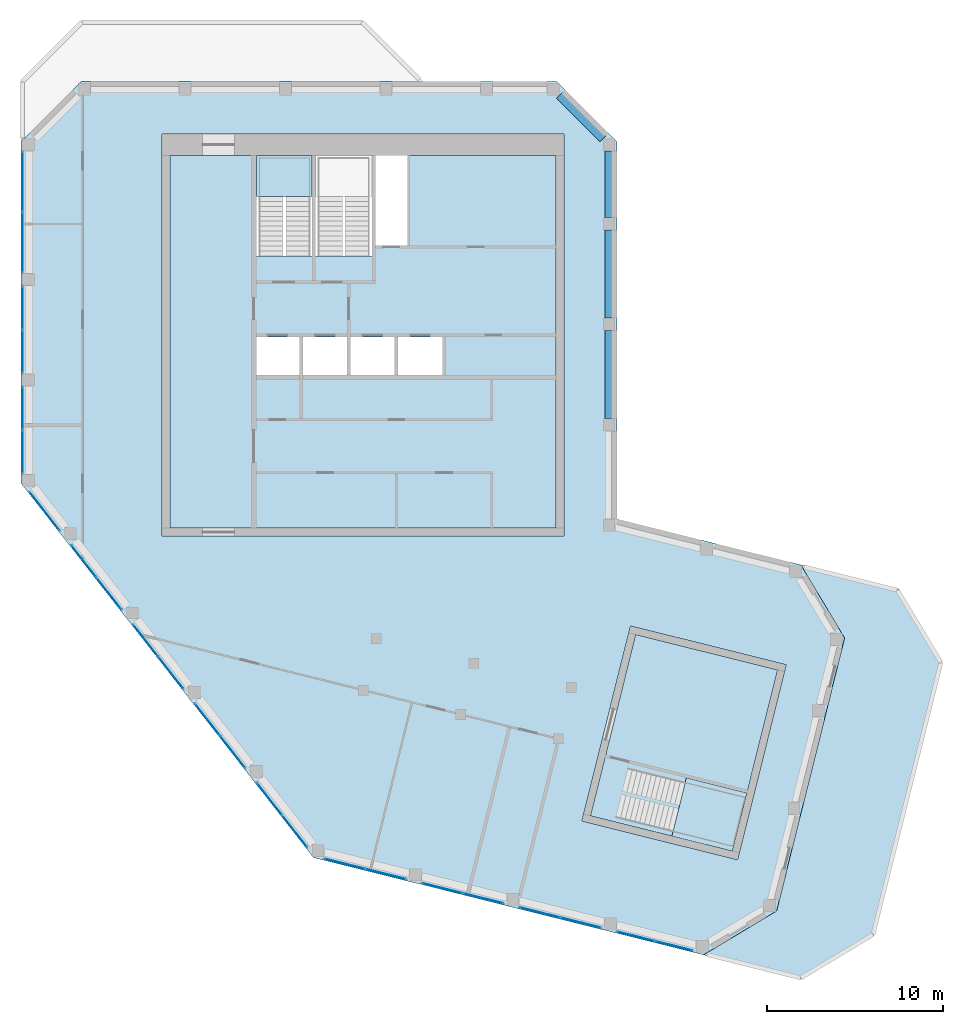
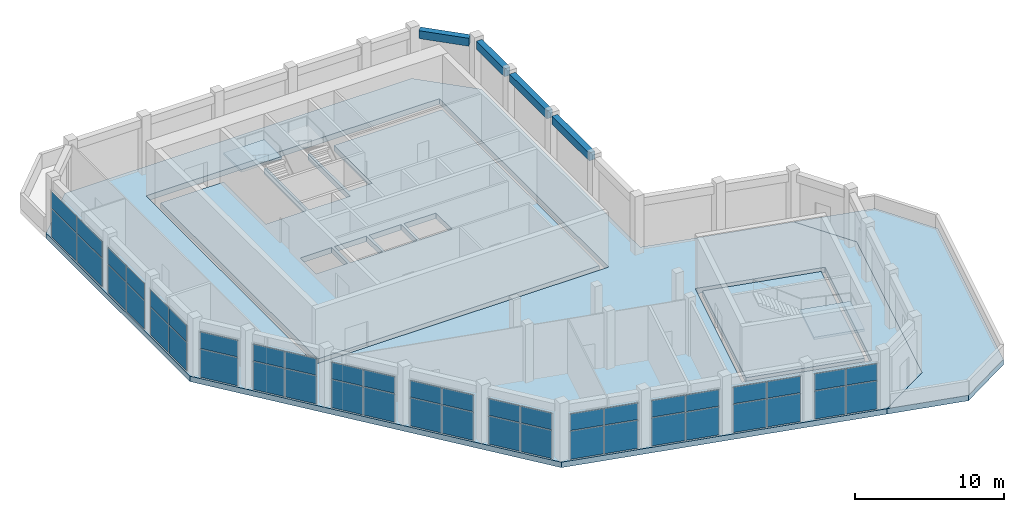
# One storey, part 6 of 10: 46 plates, 6 slabs, 4 beams, 14 elements without a shape of their own.
"""IFC4 building model written with IfcOpenShell, lengths in metres."""

from ifc_helpers import new_model, si_unit, direction, frame, origin, origin_2d, place, context, subcontext, project, spatial, polyline, rectangle, outline, extrude, material, layer, layer_set, material_profile, profile_set, type_object, element, aggregate, save


model = new_model("IFC4")

# Units and contexts
model_context = context("Model", 3, precision=1e-05, world=origin(), true_north=direction((0.0, 1.0)))
body_context = subcontext(model_context, "Body", "Model", "MODEL_VIEW")
ifc_project = project(units=[si_unit("LENGTHUNIT", "METRE"), si_unit("AREAUNIT", "SQUARE_METRE"), si_unit("VOLUMEUNIT", "CUBIC_METRE"), si_unit("PLANEANGLEUNIT", "RADIAN"), si_unit("MASSUNIT", "GRAM", prefix="KILO")], contexts=[model_context])

# Site, building, storey
site_placement = place(None, origin())
site = spatial("IfcSite", under=ifc_project, at=site_placement, CompositionType="ELEMENT")
building_placement = place(site_placement, origin())
building = spatial("IfcBuilding", under=site, at=building_placement, Name="Meshkara Civic Tower", CompositionType="ELEMENT")
storey_placement = place(building_placement, frame((0.0, 0.0, 419.39990234375)))
storey = spatial("IfcBuildingStorey", under=building, at=storey_placement, Name="L96 Crown", CompositionType="ELEMENT", Elevation=419.39990234375)

# Beams
ifc_material_1 = material(Name="Concrete C50", Category="concrete")
ifc_material_profile = material_profile(ifc_material_1, rectangle(XDim=0.449951171875, YDim=0.64990234375, at=origin_2d()))
ifc_profile_set = profile_set([ifc_material_profile], Name="Concrete C50")
beam_type = type_object("IfcBeamType", Name="Spandrel beam RC 450x650 C50", PredefinedType="BEAM", material=ifc_profile_set)
for number, where, z_axis, x_axis, name in (
    (1, (33.35009765625, 20.763916015625, 4.175048828125), (0.0, 1.0, 0.0), (-1.0, 0.0, 0.0), "Spandrel beam HE01-HE02"),
    (2, (33.35009765625, 26.464111328125, 4.175048828125), (0.0, 1.0, 0.0), (-1.0, 0.0, 0.0), "Spandrel beam HE02-HE03"),
):
    element("IfcBeam", number, at=place(storey_placement, frame(where, z_axis=z_axis, x_axis=x_axis)), inside=storey, type_object=beam_type, Name=name, PredefinedType="BEAM", context=body_context, shape_type="SweptSolid", body=[
        extrude(rectangle(XDim=0.449951171875, YDim=0.64990234375, at=origin_2d()), origin(), (0.0, 0.0, 1.0), 5.010009765625),
    ])
beam_1_placement = place(storey_placement, frame((33.35009765625, 32.1640625, 4.175048828125), z_axis=(0.0, 1.0, 0.0), x_axis=(-1.0, 0.0, 0.0)))
element("IfcBeam", 3, at=beam_1_placement, inside=storey, type_object=beam_type, Name="Spandrel beam HE03-HEE", PredefinedType="BEAM", context=body_context, shape_type="SweptSolid", body=[
    extrude(rectangle(XDim=0.449951171875, YDim=0.64990234375, at=origin_2d()), origin(), (0.0, 0.0, 1.0), 3.784912109375),
])
beam_2_placement = place(storey_placement, frame((33.00341796875, 36.640380859375, 4.175048828125), z_axis=(-0.707071735129, 0.707141825507, 0.0), x_axis=(-0.707141825507, -0.707071735129, 0.0)))
element("IfcBeam", 4, at=beam_2_placement, inside=storey, type_object=beam_type, Name="Spandrel beam HCeE-HEE", PredefinedType="BEAM", context=body_context, shape_type="SweptSolid", body=[
    extrude(rectangle(XDim=0.449951171875, YDim=0.64990234375, at=origin_2d()), origin(), (0.0, 0.0, 1.0), 3.483154296875),
])

# Curtain wall, plates
ifc_material_2 = material(Name="Tinted double glazing", Category="glass")
curtain_wall_type = type_object("IfcCurtainWallType", Name="CW CROWN LANTERN", PredefinedType="NOTDEFINED", material=ifc_material_2)
curtain_wall_1_placement = place(storey_placement, origin())
curtain_wall_1 = element("IfcCurtainWall", 5, at=curtain_wall_1_placement, inside=storey, type_object=curtain_wall_type, Name="Curtain wall CW3", PredefinedType="NOTDEFINED")
ifc_material_3 = material(Name="Tinted double glazing", Category="glass")
ifc_layer_1 = layer(ifc_material_3, 0.028076171875)
ifc_layer_set_1 = layer_set([ifc_layer_1], Name="CW PANEL IGU 28")
plate_type = type_object("IfcPlateType", Name="CW PANEL IGU 28", PredefinedType="CURTAIN_PANEL", material=ifc_layer_set_1)
plate_1_placement = place(storey_placement, frame((0.080078125, 34.1943359375, 0.06005859375), z_axis=(0.0, 0.0, 1.0), x_axis=(0.0, -1.0, 0.0)))
plate_1 = element("IfcPlate", 6, at=plate_1_placement, type_object=plate_type, Name="CW3 panel 1.1", PredefinedType="CURTAIN_PANEL", context=body_context, shape_type="SweptSolid", body=[
    extrude(rectangle(XDim=3.37939453125, YDim=0.028076171875, at=origin_2d()), origin(), (0.0, 0.0, 1.0), 2.31005859375),
])
plate_2_placement = place(storey_placement, frame((0.080078125, 34.1943359375, 2.43017578125), z_axis=(0.0, 0.0, 1.0), x_axis=(0.0, -1.0, 0.0)))
plate_2 = element("IfcPlate", 7, at=plate_2_placement, type_object=plate_type, Name="CW3 panel 1.2", PredefinedType="CURTAIN_PANEL", context=body_context, shape_type="SweptSolid", body=[
    extrude(rectangle(XDim=3.37939453125, YDim=0.028076171875, at=origin_2d()), origin(), (0.0, 0.0, 1.0), 1.360107421875),
])
plate_3_placement = place(storey_placement, frame((0.080078125, 30.754638671875, 0.06005859375), z_axis=(0.0, 0.0, 1.0), x_axis=(0.0, -1.0, 0.0)))
plate_3 = element("IfcPlate", 8, at=plate_3_placement, type_object=plate_type, Name="CW3 panel 2.1", PredefinedType="CURTAIN_PANEL", context=body_context, shape_type="SweptSolid", body=[
    extrude(rectangle(XDim=3.37939453125, YDim=0.028076171875, at=origin_2d()), origin(), (0.0, 0.0, 1.0), 2.31005859375),
])
plate_4_placement = place(storey_placement, frame((0.080078125, 30.754638671875, 2.43017578125), z_axis=(0.0, 0.0, 1.0), x_axis=(0.0, -1.0, 0.0)))
plate_4 = element("IfcPlate", 9, at=plate_4_placement, type_object=plate_type, Name="CW3 panel 2.2", PredefinedType="CURTAIN_PANEL", context=body_context, shape_type="SweptSolid", body=[
    extrude(rectangle(XDim=3.37939453125, YDim=0.028076171875, at=origin_2d()), origin(), (0.0, 0.0, 1.0), 1.360107421875),
])
aggregate(curtain_wall_1, [plate_1, plate_2, plate_3, plate_4])

curtain_wall_2_placement = place(storey_placement, origin())
curtain_wall_2 = element("IfcCurtainWall", 10, at=curtain_wall_2_placement, inside=storey, type_object=curtain_wall_type, Name="Curtain wall CW3", PredefinedType="NOTDEFINED")
plate_5_placement = place(storey_placement, frame((0.080078125, 27.0400390625, 0.06005859375), z_axis=(0.0, 0.0, 1.0), x_axis=(0.0, -1.0, 0.0)))
plate_5 = element("IfcPlate", 11, at=plate_5_placement, type_object=plate_type, Name="CW3 panel 1.1", PredefinedType="CURTAIN_PANEL", context=body_context, shape_type="SweptSolid", body=[
    extrude(rectangle(XDim=2.409912109375, YDim=0.028076171875, at=origin_2d()), origin(), (0.0, 0.0, 1.0), 2.31005859375),
])
plate_6_placement = place(storey_placement, frame((0.080078125, 27.0400390625, 2.43017578125), z_axis=(0.0, 0.0, 1.0), x_axis=(0.0, -1.0, 0.0)))
plate_6 = element("IfcPlate", 12, at=plate_6_placement, type_object=plate_type, Name="CW3 panel 1.2", PredefinedType="CURTAIN_PANEL", context=body_context, shape_type="SweptSolid", body=[
    extrude(rectangle(XDim=2.409912109375, YDim=0.028076171875, at=origin_2d()), origin(), (0.0, 0.0, 1.0), 1.360107421875),
])
plate_7_placement = place(storey_placement, frame((0.080078125, 24.570068359375, 0.06005859375), z_axis=(0.0, 0.0, 1.0), x_axis=(0.0, -1.0, 0.0)))
plate_7 = element("IfcPlate", 13, at=plate_7_placement, type_object=plate_type, Name="CW3 panel 2.1", PredefinedType="CURTAIN_PANEL", context=body_context, shape_type="SweptSolid", body=[
    extrude(rectangle(XDim=2.409912109375, YDim=0.028076171875, at=origin_2d()), origin(), (0.0, 0.0, 1.0), 2.31005859375),
])
plate_8_placement = place(storey_placement, frame((0.080078125, 24.570068359375, 2.43017578125), z_axis=(0.0, 0.0, 1.0), x_axis=(0.0, -1.0, 0.0)))
plate_8 = element("IfcPlate", 14, at=plate_8_placement, type_object=plate_type, Name="CW3 panel 2.2", PredefinedType="CURTAIN_PANEL", context=body_context, shape_type="SweptSolid", body=[
    extrude(rectangle(XDim=2.409912109375, YDim=0.028076171875, at=origin_2d()), origin(), (0.0, 0.0, 1.0), 1.360107421875),
])
aggregate(curtain_wall_2, [plate_5, plate_6, plate_7, plate_8])

curtain_wall_3_placement = place(storey_placement, origin())
curtain_wall_3 = element("IfcCurtainWall", 15, at=curtain_wall_3_placement, inside=storey, type_object=curtain_wall_type, Name="Curtain wall CW3", PredefinedType="NOTDEFINED")
plate_9_placement = place(storey_placement, frame((0.080078125, 21.340087890625, 0.06005859375), z_axis=(0.0, 0.0, 1.0), x_axis=(0.0, -1.0, 0.0)))
plate_9 = element("IfcPlate", 16, at=plate_9_placement, type_object=plate_type, Name="CW3 panel 1.1", PredefinedType="CURTAIN_PANEL", context=body_context, shape_type="SweptSolid", body=[
    extrude(rectangle(XDim=2.409912109375, YDim=0.028076171875, at=origin_2d()), origin(), (0.0, 0.0, 1.0), 2.31005859375),
])
plate_10_placement = place(storey_placement, frame((0.080078125, 21.340087890625, 2.43017578125), z_axis=(0.0, 0.0, 1.0), x_axis=(0.0, -1.0, 0.0)))
plate_10 = element("IfcPlate", 17, at=plate_10_placement, type_object=plate_type, Name="CW3 panel 1.2", PredefinedType="CURTAIN_PANEL", context=body_context, shape_type="SweptSolid", body=[
    extrude(rectangle(XDim=2.409912109375, YDim=0.028076171875, at=origin_2d()), origin(), (0.0, 0.0, 1.0), 1.360107421875),
])
plate_11_placement = place(storey_placement, frame((0.080078125, 18.8701171875, 0.06005859375), z_axis=(0.0, 0.0, 1.0), x_axis=(0.0, -1.0, 0.0)))
plate_11 = element("IfcPlate", 18, at=plate_11_placement, type_object=plate_type, Name="CW3 panel 2.1", PredefinedType="CURTAIN_PANEL", context=body_context, shape_type="SweptSolid", body=[
    extrude(rectangle(XDim=2.409912109375, YDim=0.028076171875, at=origin_2d()), origin(), (0.0, 0.0, 1.0), 2.31005859375),
])
plate_12_placement = place(storey_placement, frame((0.080078125, 18.8701171875, 2.43017578125), z_axis=(0.0, 0.0, 1.0), x_axis=(0.0, -1.0, 0.0)))
plate_12 = element("IfcPlate", 19, at=plate_12_placement, type_object=plate_type, Name="CW3 panel 2.2", PredefinedType="CURTAIN_PANEL", context=body_context, shape_type="SweptSolid", body=[
    extrude(rectangle(XDim=2.409912109375, YDim=0.028076171875, at=origin_2d()), origin(), (0.0, 0.0, 1.0), 1.360107421875),
])
aggregate(curtain_wall_3, [plate_9, plate_10, plate_11, plate_12])

curtain_wall_4_placement = place(storey_placement, origin())
curtain_wall_4 = element("IfcCurtainWall", 20, at=curtain_wall_4_placement, inside=storey, type_object=curtain_wall_type, Name="Curtain wall CW3", PredefinedType="NOTDEFINED")
plate_13_placement = place(storey_placement, frame((1.340576171875, 15.513916015625, 0.06005859375), z_axis=(0.0, 0.0, 1.0), x_axis=(0.615562546316, -0.78808803542, 0.0)))
plate_13 = element("IfcPlate", 21, at=plate_13_placement, type_object=plate_type, Name="CW3 panel 1.1", PredefinedType="CURTAIN_PANEL", context=body_context, shape_type="SweptSolid", body=[
    extrude(rectangle(XDim=2.737548828125, YDim=0.028076171875, at=origin_2d()), origin(), (0.0, 0.0, 1.0), 2.31005859375),
])
plate_14_placement = place(storey_placement, frame((1.340576171875, 15.513916015625, 2.43017578125), z_axis=(0.0, 0.0, 1.0), x_axis=(0.615562546316, -0.78808803542, 0.0)))
plate_14 = element("IfcPlate", 22, at=plate_14_placement, type_object=plate_type, Name="CW3 panel 1.2", PredefinedType="CURTAIN_PANEL", context=body_context, shape_type="SweptSolid", body=[
    extrude(rectangle(XDim=2.737548828125, YDim=0.028076171875, at=origin_2d()), origin(), (0.0, 0.0, 1.0), 1.360107421875),
])
aggregate(curtain_wall_4, [plate_13, plate_14])

curtain_wall_5_placement = place(storey_placement, origin())
curtain_wall_5 = element("IfcCurtainWall", 23, at=curtain_wall_5_placement, inside=storey, type_object=curtain_wall_type, Name="Curtain wall CW3", PredefinedType="NOTDEFINED")
plate_15_placement = place(storey_placement, frame((3.560302734375, 12.6728515625, 0.06005859375), z_axis=(0.0, 0.0, 1.0), x_axis=(0.615656384086, -0.788014731293, 0.0)))
plate_15 = element("IfcPlate", 24, at=plate_15_placement, type_object=plate_type, Name="CW3 panel 1.1", PredefinedType="CURTAIN_PANEL", context=body_context, shape_type="SweptSolid", body=[
    extrude(rectangle(XDim=2.2685546875, YDim=0.028076171875, at=origin_2d()), origin(), (0.0, 0.0, 1.0), 2.31005859375),
])
plate_16_placement = place(storey_placement, frame((3.560302734375, 12.6728515625, 2.43017578125), z_axis=(0.0, 0.0, 1.0), x_axis=(0.615656384086, -0.788014731293, 0.0)))
plate_16 = element("IfcPlate", 25, at=plate_16_placement, type_object=plate_type, Name="CW3 panel 1.2", PredefinedType="CURTAIN_PANEL", context=body_context, shape_type="SweptSolid", body=[
    extrude(rectangle(XDim=2.2685546875, YDim=0.028076171875, at=origin_2d()), origin(), (0.0, 0.0, 1.0), 1.360107421875),
])
plate_17_placement = place(storey_placement, frame((4.99365234375, 10.838134765625, 0.06005859375), z_axis=(0.0, 0.0, 1.0), x_axis=(0.615656384086, -0.788014731293, 0.0)))
plate_17 = element("IfcPlate", 26, at=plate_17_placement, type_object=plate_type, Name="CW3 panel 2.1", PredefinedType="CURTAIN_PANEL", context=body_context, shape_type="SweptSolid", body=[
    extrude(rectangle(XDim=2.2685546875, YDim=0.028076171875, at=origin_2d()), origin(), (0.0, 0.0, 1.0), 2.31005859375),
])
plate_18_placement = place(storey_placement, frame((4.99365234375, 10.838134765625, 2.43017578125), z_axis=(0.0, 0.0, 1.0), x_axis=(0.615656384086, -0.788014731293, 0.0)))
plate_18 = element("IfcPlate", 27, at=plate_18_placement, type_object=plate_type, Name="CW3 panel 2.2", PredefinedType="CURTAIN_PANEL", context=body_context, shape_type="SweptSolid", body=[
    extrude(rectangle(XDim=2.2685546875, YDim=0.028076171875, at=origin_2d()), origin(), (0.0, 0.0, 1.0), 1.360107421875),
])
aggregate(curtain_wall_5, [plate_15, plate_16, plate_17, plate_18])

curtain_wall_6_placement = place(storey_placement, origin())
curtain_wall_6 = element("IfcCurtainWall", 28, at=curtain_wall_6_placement, inside=storey, type_object=curtain_wall_type, Name="Curtain wall CW3", PredefinedType="NOTDEFINED")
plate_19_placement = place(storey_placement, frame((7.069580078125, 8.1806640625, 0.06005859375), z_axis=(0.0, 0.0, 1.0), x_axis=(0.615685169539, -0.787992241085, 0.0)))
plate_19 = element("IfcPlate", 29, at=plate_19_placement, type_object=plate_type, Name="CW3 panel 1.1", PredefinedType="CURTAIN_PANEL", context=body_context, shape_type="SweptSolid", body=[
    extrude(rectangle(XDim=2.26904296875, YDim=0.028076171875, at=origin_2d()), origin(), (0.0, 0.0, 1.0), 2.31005859375),
])
plate_20_placement = place(storey_placement, frame((7.069580078125, 8.1806640625, 2.43017578125), z_axis=(0.0, 0.0, 1.0), x_axis=(0.615685169539, -0.787992241085, 0.0)))
plate_20 = element("IfcPlate", 30, at=plate_20_placement, type_object=plate_type, Name="CW3 panel 1.2", PredefinedType="CURTAIN_PANEL", context=body_context, shape_type="SweptSolid", body=[
    extrude(rectangle(XDim=2.26904296875, YDim=0.028076171875, at=origin_2d()), origin(), (0.0, 0.0, 1.0), 1.360107421875),
])
plate_21_placement = place(storey_placement, frame((8.50341796875, 6.34521484375, 0.06005859375), z_axis=(0.0, 0.0, 1.0), x_axis=(0.615685169539, -0.787992241085, 0.0)))
plate_21 = element("IfcPlate", 31, at=plate_21_placement, type_object=plate_type, Name="CW3 panel 2.1", PredefinedType="CURTAIN_PANEL", context=body_context, shape_type="SweptSolid", body=[
    extrude(rectangle(XDim=2.26904296875, YDim=0.028076171875, at=origin_2d()), origin(), (0.0, 0.0, 1.0), 2.31005859375),
])
plate_22_placement = place(storey_placement, frame((8.50341796875, 6.34521484375, 2.43017578125), z_axis=(0.0, 0.0, 1.0), x_axis=(0.615685169539, -0.787992241085, 0.0)))
plate_22 = element("IfcPlate", 32, at=plate_22_placement, type_object=plate_type, Name="CW3 panel 2.2", PredefinedType="CURTAIN_PANEL", context=body_context, shape_type="SweptSolid", body=[
    extrude(rectangle(XDim=2.26904296875, YDim=0.028076171875, at=origin_2d()), origin(), (0.0, 0.0, 1.0), 1.360107421875),
])
aggregate(curtain_wall_6, [plate_19, plate_20, plate_21, plate_22])

curtain_wall_7_placement = place(storey_placement, origin())
curtain_wall_7 = element("IfcCurtainWall", 33, at=curtain_wall_7_placement, inside=storey, type_object=curtain_wall_type, Name="Curtain wall CW3", PredefinedType="NOTDEFINED")
plate_23_placement = place(storey_placement, frame((10.579345703125, 3.68896484375, 0.06005859375), z_axis=(0.0, 0.0, 1.0), x_axis=(0.615656384086, -0.788014731293, 0.0)))
plate_23 = element("IfcPlate", 34, at=plate_23_placement, type_object=plate_type, Name="CW3 panel 1.1", PredefinedType="CURTAIN_PANEL", context=body_context, shape_type="SweptSolid", body=[
    extrude(rectangle(XDim=2.2685546875, YDim=0.028076171875, at=origin_2d()), origin(), (0.0, 0.0, 1.0), 2.31005859375),
])
plate_24_placement = place(storey_placement, frame((10.579345703125, 3.68896484375, 2.43017578125), z_axis=(0.0, 0.0, 1.0), x_axis=(0.615656384086, -0.788014731293, 0.0)))
plate_24 = element("IfcPlate", 35, at=plate_24_placement, type_object=plate_type, Name="CW3 panel 1.2", PredefinedType="CURTAIN_PANEL", context=body_context, shape_type="SweptSolid", body=[
    extrude(rectangle(XDim=2.2685546875, YDim=0.028076171875, at=origin_2d()), origin(), (0.0, 0.0, 1.0), 1.360107421875),
])
plate_25_placement = place(storey_placement, frame((12.0126953125, 1.85400390625, 0.06005859375), z_axis=(0.0, 0.0, 1.0), x_axis=(0.615656384086, -0.788014731293, 0.0)))
plate_25 = element("IfcPlate", 36, at=plate_25_placement, type_object=plate_type, Name="CW3 panel 2.1", PredefinedType="CURTAIN_PANEL", context=body_context, shape_type="SweptSolid", body=[
    extrude(rectangle(XDim=2.2685546875, YDim=0.028076171875, at=origin_2d()), origin(), (0.0, 0.0, 1.0), 2.31005859375),
])
plate_26_placement = place(storey_placement, frame((12.0126953125, 1.85400390625, 2.43017578125), z_axis=(0.0, 0.0, 1.0), x_axis=(0.615656384086, -0.788014731293, 0.0)))
plate_26 = element("IfcPlate", 37, at=plate_26_placement, type_object=plate_type, Name="CW3 panel 2.2", PredefinedType="CURTAIN_PANEL", context=body_context, shape_type="SweptSolid", body=[
    extrude(rectangle(XDim=2.2685546875, YDim=0.028076171875, at=origin_2d()), origin(), (0.0, 0.0, 1.0), 1.360107421875),
])
aggregate(curtain_wall_7, [plate_23, plate_24, plate_25, plate_26])

curtain_wall_8_placement = place(storey_placement, origin())
curtain_wall_8 = element("IfcCurtainWall", 38, at=curtain_wall_8_placement, inside=storey, type_object=curtain_wall_type, Name="Curtain wall CW3", PredefinedType="NOTDEFINED")
plate_27_placement = place(storey_placement, frame((14.088134765625, -0.802001953125, 0.06005859375), z_axis=(0.0, 0.0, 1.0), x_axis=(0.615656384086, -0.788014731293, 0.0)))
plate_27 = element("IfcPlate", 39, at=plate_27_placement, type_object=plate_type, Name="CW3 panel 1.1", PredefinedType="CURTAIN_PANEL", context=body_context, shape_type="SweptSolid", body=[
    extrude(rectangle(XDim=2.2685546875, YDim=0.028076171875, at=origin_2d()), origin(), (0.0, 0.0, 1.0), 2.31005859375),
])
plate_28_placement = place(storey_placement, frame((14.088134765625, -0.802001953125, 2.43017578125), z_axis=(0.0, 0.0, 1.0), x_axis=(0.615656384086, -0.788014731293, 0.0)))
plate_28 = element("IfcPlate", 40, at=plate_28_placement, type_object=plate_type, Name="CW3 panel 1.2", PredefinedType="CURTAIN_PANEL", context=body_context, shape_type="SweptSolid", body=[
    extrude(rectangle(XDim=2.2685546875, YDim=0.028076171875, at=origin_2d()), origin(), (0.0, 0.0, 1.0), 1.360107421875),
])
plate_29_placement = place(storey_placement, frame((15.521728515625, -2.636962890625, 0.06005859375), z_axis=(0.0, 0.0, 1.0), x_axis=(0.615656384086, -0.788014731293, 0.0)))
plate_29 = element("IfcPlate", 41, at=plate_29_placement, type_object=plate_type, Name="CW3 panel 2.1", PredefinedType="CURTAIN_PANEL", context=body_context, shape_type="SweptSolid", body=[
    extrude(rectangle(XDim=2.2685546875, YDim=0.028076171875, at=origin_2d()), origin(), (0.0, 0.0, 1.0), 2.31005859375),
])
plate_30_placement = place(storey_placement, frame((15.521728515625, -2.636962890625, 2.43017578125), z_axis=(0.0, 0.0, 1.0), x_axis=(0.615656384086, -0.788014731293, 0.0)))
plate_30 = element("IfcPlate", 42, at=plate_30_placement, type_object=plate_type, Name="CW3 panel 2.2", PredefinedType="CURTAIN_PANEL", context=body_context, shape_type="SweptSolid", body=[
    extrude(rectangle(XDim=2.2685546875, YDim=0.028076171875, at=origin_2d()), origin(), (0.0, 0.0, 1.0), 1.360107421875),
])
aggregate(curtain_wall_8, [plate_27, plate_28, plate_29, plate_30])

curtain_wall_9_placement = place(storey_placement, origin())
curtain_wall_9 = element("IfcCurtainWall", 43, at=curtain_wall_9_placement, inside=storey, type_object=curtain_wall_type, Name="Curtain wall CW3", PredefinedType="NOTDEFINED")
plate_31_placement = place(storey_placement, frame((18.364501953125, -4.49609375, 0.06005859375), z_axis=(0.0, 0.0, 1.0), x_axis=(0.970287803332, -0.241953670576, 0.0)))
plate_31 = element("IfcPlate", 44, at=plate_31_placement, type_object=plate_type, Name="CW3 panel 1.1", PredefinedType="CURTAIN_PANEL", context=body_context, shape_type="SweptSolid", body=[
    extrude(rectangle(XDim=2.336181640625, YDim=0.028076171875, at=origin_2d()), origin(), (0.0, 0.0, 1.0), 2.31005859375),
])
plate_32_placement = place(storey_placement, frame((18.364501953125, -4.49609375, 2.43017578125), z_axis=(0.0, 0.0, 1.0), x_axis=(0.970287803332, -0.241953670576, 0.0)))
plate_32 = element("IfcPlate", 45, at=plate_32_placement, type_object=plate_type, Name="CW3 panel 1.2", PredefinedType="CURTAIN_PANEL", context=body_context, shape_type="SweptSolid", body=[
    extrude(rectangle(XDim=2.336181640625, YDim=0.028076171875, at=origin_2d()), origin(), (0.0, 0.0, 1.0), 1.360107421875),
])
plate_33_placement = place(storey_placement, frame((20.689453125, -5.075927734375, 0.06005859375), z_axis=(0.0, 0.0, 1.0), x_axis=(0.970287803332, -0.241953670576, 0.0)))
plate_33 = element("IfcPlate", 46, at=plate_33_placement, type_object=plate_type, Name="CW3 panel 2.1", PredefinedType="CURTAIN_PANEL", context=body_context, shape_type="SweptSolid", body=[
    extrude(rectangle(XDim=2.336181640625, YDim=0.028076171875, at=origin_2d()), origin(), (0.0, 0.0, 1.0), 2.31005859375),
])
plate_34_placement = place(storey_placement, frame((20.689453125, -5.075927734375, 2.43017578125), z_axis=(0.0, 0.0, 1.0), x_axis=(0.970287803332, -0.241953670576, 0.0)))
plate_34 = element("IfcPlate", 47, at=plate_34_placement, type_object=plate_type, Name="CW3 panel 2.2", PredefinedType="CURTAIN_PANEL", context=body_context, shape_type="SweptSolid", body=[
    extrude(rectangle(XDim=2.336181640625, YDim=0.028076171875, at=origin_2d()), origin(), (0.0, 0.0, 1.0), 1.360107421875),
])
aggregate(curtain_wall_9, [plate_31, plate_32, plate_33, plate_34])

curtain_wall_10_placement = place(storey_placement, origin())
curtain_wall_10 = element("IfcCurtainWall", 48, at=curtain_wall_10_placement, inside=storey, type_object=curtain_wall_type, Name="Curtain wall CW3", PredefinedType="NOTDEFINED")
plate_35_placement = place(storey_placement, frame((23.895263671875, -5.8759765625, 0.06005859375), z_axis=(0.0, 0.0, 1.0), x_axis=(0.970324119892, -0.241807986541, 0.0)))
plate_35 = element("IfcPlate", 49, at=plate_35_placement, type_object=plate_type, Name="CW3 panel 1.1", PredefinedType="CURTAIN_PANEL", context=body_context, shape_type="SweptSolid", body=[
    extrude(rectangle(XDim=2.33544921875, YDim=0.028076171875, at=origin_2d()), origin(), (0.0, 0.0, 1.0), 2.31005859375),
])
plate_36_placement = place(storey_placement, frame((23.895263671875, -5.8759765625, 2.43017578125), z_axis=(0.0, 0.0, 1.0), x_axis=(0.970324119892, -0.241807986541, 0.0)))
plate_36 = element("IfcPlate", 50, at=plate_36_placement, type_object=plate_type, Name="CW3 panel 1.2", PredefinedType="CURTAIN_PANEL", context=body_context, shape_type="SweptSolid", body=[
    extrude(rectangle(XDim=2.33544921875, YDim=0.028076171875, at=origin_2d()), origin(), (0.0, 0.0, 1.0), 1.360107421875),
])
plate_37_placement = place(storey_placement, frame((26.2197265625, -6.455078125, 0.06005859375), z_axis=(0.0, 0.0, 1.0), x_axis=(0.970324119892, -0.241807986541, 0.0)))
plate_37 = element("IfcPlate", 51, at=plate_37_placement, type_object=plate_type, Name="CW3 panel 2.1", PredefinedType="CURTAIN_PANEL", context=body_context, shape_type="SweptSolid", body=[
    extrude(rectangle(XDim=2.33544921875, YDim=0.028076171875, at=origin_2d()), origin(), (0.0, 0.0, 1.0), 2.31005859375),
])
plate_38_placement = place(storey_placement, frame((26.2197265625, -6.455078125, 2.43017578125), z_axis=(0.0, 0.0, 1.0), x_axis=(0.970324119892, -0.241807986541, 0.0)))
plate_38 = element("IfcPlate", 52, at=plate_38_placement, type_object=plate_type, Name="CW3 panel 2.2", PredefinedType="CURTAIN_PANEL", context=body_context, shape_type="SweptSolid", body=[
    extrude(rectangle(XDim=2.33544921875, YDim=0.028076171875, at=origin_2d()), origin(), (0.0, 0.0, 1.0), 1.360107421875),
])
aggregate(curtain_wall_10, [plate_35, plate_36, plate_37, plate_38])

curtain_wall_11_placement = place(storey_placement, origin())
curtain_wall_11 = element("IfcCurtainWall", 53, at=curtain_wall_11_placement, inside=storey, type_object=curtain_wall_type, Name="Curtain wall CW3", PredefinedType="NOTDEFINED")
plate_39_placement = place(storey_placement, frame((29.425537109375, -7.254150390625, 0.06005859375), z_axis=(0.0, 0.0, 1.0), x_axis=(0.970287803332, -0.241953670576, 0.0)))
plate_39 = element("IfcPlate", 54, at=plate_39_placement, type_object=plate_type, Name="CW3 panel 1.1", PredefinedType="CURTAIN_PANEL", context=body_context, shape_type="SweptSolid", body=[
    extrude(rectangle(XDim=2.336181640625, YDim=0.028076171875, at=origin_2d()), origin(), (0.0, 0.0, 1.0), 2.31005859375),
])
plate_40_placement = place(storey_placement, frame((29.425537109375, -7.254150390625, 2.43017578125), z_axis=(0.0, 0.0, 1.0), x_axis=(0.970287803332, -0.241953670576, 0.0)))
plate_40 = element("IfcPlate", 55, at=plate_40_placement, type_object=plate_type, Name="CW3 panel 1.2", PredefinedType="CURTAIN_PANEL", context=body_context, shape_type="SweptSolid", body=[
    extrude(rectangle(XDim=2.336181640625, YDim=0.028076171875, at=origin_2d()), origin(), (0.0, 0.0, 1.0), 1.360107421875),
])
plate_41_placement = place(storey_placement, frame((31.75048828125, -7.833984375, 0.06005859375), z_axis=(0.0, 0.0, 1.0), x_axis=(0.970287803332, -0.241953670576, 0.0)))
plate_41 = element("IfcPlate", 56, at=plate_41_placement, type_object=plate_type, Name="CW3 panel 2.1", PredefinedType="CURTAIN_PANEL", context=body_context, shape_type="SweptSolid", body=[
    extrude(rectangle(XDim=2.336181640625, YDim=0.028076171875, at=origin_2d()), origin(), (0.0, 0.0, 1.0), 2.31005859375),
])
plate_42_placement = place(storey_placement, frame((31.75048828125, -7.833984375, 2.43017578125), z_axis=(0.0, 0.0, 1.0), x_axis=(0.970287803332, -0.241953670576, 0.0)))
plate_42 = element("IfcPlate", 57, at=plate_42_placement, type_object=plate_type, Name="CW3 panel 2.2", PredefinedType="CURTAIN_PANEL", context=body_context, shape_type="SweptSolid", body=[
    extrude(rectangle(XDim=2.336181640625, YDim=0.028076171875, at=origin_2d()), origin(), (0.0, 0.0, 1.0), 1.360107421875),
])
aggregate(curtain_wall_11, [plate_39, plate_40, plate_41, plate_42])

curtain_wall_12_placement = place(storey_placement, origin())
curtain_wall_12 = element("IfcCurtainWall", 58, at=curtain_wall_12_placement, inside=storey, type_object=curtain_wall_type, Name="Curtain wall CW3", PredefinedType="NOTDEFINED")
plate_43_placement = place(storey_placement, frame((34.873779296875, -8.612548828125, 0.06005859375), z_axis=(0.0, 0.0, 1.0), x_axis=(0.970259742508, -0.242066172912, 0.0)))
plate_43 = element("IfcPlate", 59, at=plate_43_placement, type_object=plate_type, Name="CW3 panel 1.1", PredefinedType="CURTAIN_PANEL", context=body_context, shape_type="SweptSolid", body=[
    extrude(rectangle(XDim=2.16552734375, YDim=0.028076171875, at=origin_2d()), origin(), (0.0, 0.0, 1.0), 2.31005859375),
])
plate_44_placement = place(storey_placement, frame((34.873779296875, -8.612548828125, 2.43017578125), z_axis=(0.0, 0.0, 1.0), x_axis=(0.970259742508, -0.242066172912, 0.0)))
plate_44 = element("IfcPlate", 60, at=plate_44_placement, type_object=plate_type, Name="CW3 panel 1.2", PredefinedType="CURTAIN_PANEL", context=body_context, shape_type="SweptSolid", body=[
    extrude(rectangle(XDim=2.16552734375, YDim=0.028076171875, at=origin_2d()), origin(), (0.0, 0.0, 1.0), 1.360107421875),
])
plate_45_placement = place(storey_placement, frame((37.033203125, -9.1513671875, 0.06005859375), z_axis=(0.0, 0.0, 1.0), x_axis=(0.970259742508, -0.242066172912, 0.0)))
plate_45 = element("IfcPlate", 61, at=plate_45_placement, type_object=plate_type, Name="CW3 panel 2.1", PredefinedType="CURTAIN_PANEL", context=body_context, shape_type="SweptSolid", body=[
    extrude(rectangle(XDim=2.16552734375, YDim=0.028076171875, at=origin_2d()), origin(), (0.0, 0.0, 1.0), 2.31005859375),
])
plate_46_placement = place(storey_placement, frame((37.033203125, -9.1513671875, 2.43017578125), z_axis=(0.0, 0.0, 1.0), x_axis=(0.970259742508, -0.242066172912, 0.0)))
plate_46 = element("IfcPlate", 62, at=plate_46_placement, type_object=plate_type, Name="CW3 panel 2.2", PredefinedType="CURTAIN_PANEL", context=body_context, shape_type="SweptSolid", body=[
    extrude(rectangle(XDim=2.16552734375, YDim=0.028076171875, at=origin_2d()), origin(), (0.0, 0.0, 1.0), 1.360107421875),
])
aggregate(curtain_wall_12, [plate_43, plate_44, plate_45, plate_46])

# Slabs
ifc_material_4 = material(Name="Concrete C40/50", Category="concrete")
ifc_layer_2 = layer(ifc_material_4, 0.449951171875)
ifc_layer_set_2 = layer_set([ifc_layer_2], Name="Core floor slab 450 C40/50")
slab_type_1 = type_object("IfcSlabType", Name="Core floor slab 450 C40/50", PredefinedType="FLOOR", material=ifc_layer_set_2)
slab_1_placement = place(storey_placement, frame((0.0, 0.0, -0.449951171875)))
element("IfcSlab", 63, at=slab_1_placement, inside=storey, type_object=slab_type_1, Name="Core floor K", PredefinedType="FLOOR", context=body_context, shape_type="SweptSolid", body=[
    extrude(outline(polyline([(8.449951171875, 35.699951171875), (13.35009765625, 35.699951171875), (13.35009765625, 30.00146484375), (16.5, 30.00146484375), (16.5, 35.699951171875), (16.699951171875, 35.699951171875), (16.699951171875, 30.00146484375), (19.89990234375, 30.00146484375), (19.89990234375, 35.699951171875), (20.10009765625, 35.699951171875), (20.10009765625, 30.574951171875), (21.925048828125, 30.574951171875), (21.925048828125, 35.699951171875), (30.35009765625, 35.699951171875), (30.35009765625, 14.550048828125), (8.449951171875, 14.550048828125), (8.449951171875, 35.699951171875)]), holes=[polyline([(15.800048828125, 23.25), (15.800048828125, 25.39990234375), (13.35009765625, 25.39990234375), (13.35009765625, 23.25), (15.800048828125, 23.25)]), polyline([(18.5, 25.39990234375), (16.0, 25.39990234375), (16.0, 23.25), (18.5, 23.25), (18.5, 25.39990234375)]), polyline([(18.699951171875, 23.25), (21.199951171875, 23.25), (21.199951171875, 25.39990234375), (18.699951171875, 25.39990234375), (18.699951171875, 23.25)]), polyline([(23.89990234375, 25.39990234375), (21.39990234375, 25.39990234375), (21.39990234375, 23.25), (23.89990234375, 23.25), (23.89990234375, 25.39990234375)])]), origin(), (0.0, 0.0, 1.0), 0.449951171875),
])
slab_2_placement = place(storey_placement, frame((0.0, 0.0, -0.449951171875)))
element("IfcSlab", 64, at=slab_2_placement, inside=storey, type_object=slab_type_1, Name="Core floor EB", PredefinedType="FLOOR", context=body_context, shape_type="SweptSolid", body=[
    extrude(outline(polyline([(32.302001953125, -1.76708984375), (34.866455078125, 8.51806640625), (42.919921875, 6.510009765625), (40.35546875, -3.77490234375), (32.302001953125, -1.76708984375)])), origin(), (0.0, 0.0, 1.0), 0.449951171875),
])

# Stair, slab
ifc_material_5 = material(Name="Precast concrete C40/50", Category="concrete")
stair_type = type_object("IfcStairType", Name="Exit stair half-turn 26 risers precast", PredefinedType="HALF_TURN_STAIR", material=ifc_material_5)
stair_1_placement = place(storey_placement, origin())
stair_1 = element("IfcStair", 65, at=stair_1_placement, inside=storey, type_object=stair_type, Name="L96 Crown exit stair 1", PredefinedType="HALF_TURN_STAIR")
ifc_material_6 = material(Name="Precast concrete C40/50", Category="concrete")
ifc_layer_3 = layer(ifc_material_6, 0.199951171875)
ifc_layer_set_3 = layer_set([ifc_layer_3], Name="Exit stair landing 200")
slab_type_2 = type_object("IfcSlabType", Name="Exit stair landing 200", PredefinedType="LANDING", material=ifc_layer_set_3)
slab_3_placement = place(storey_placement, frame((0.0, 0.0, 2.2001953125)))
slab_3 = element("IfcSlab", 66, at=slab_3_placement, type_object=slab_type_2, Name="ST1 landing 1", PredefinedType="LANDING", context=body_context, shape_type="SweptSolid", body=[
    extrude(outline(polyline([(16.5, 33.3583984375), (16.5, 35.699951171875), (13.35009765625, 35.699951171875), (13.35009765625, 33.3583984375), (16.5, 33.3583984375)])), origin(), (0.0, 0.0, 1.0), 0.199951171875),
])
aggregate(stair_1, [slab_3])

stair_2_placement = place(storey_placement, origin())
stair_2 = element("IfcStair", 67, at=stair_2_placement, inside=storey, type_object=stair_type, Name="L96 Crown exit stair B from L96 Crown", PredefinedType="HALF_TURN_STAIR")
slab_4_placement = place(storey_placement, frame((0.0, 0.0, 2.2001953125)))
slab_4 = element("IfcSlab", 68, at=slab_4_placement, type_object=slab_type_2, Name="ESB9 landing 1", PredefinedType="LANDING", context=body_context, shape_type="SweptSolid", body=[
    extrude(outline(polyline([(36.919921875, -2.92236328125), (40.35888671875, -3.77587890625), (41.18017578125, -0.46728515625), (37.740966796875, 0.38623046875), (36.919921875, -2.92236328125)])), origin(), (0.0, 0.0, 1.0), 0.199951171875),
])
aggregate(stair_2, [slab_4])

# Slabs
ifc_material_7 = material(Name="Concrete C50", Category="concrete")
ifc_layer_4 = layer(ifc_material_7, 0.449951171875)
ifc_layer_set_4 = layer_set([ifc_layer_4], Name="Terrace slab 450 C50")
slab_type_3 = type_object("IfcSlabType", Name="Terrace slab 450 C50", PredefinedType="ROOF", material=ifc_layer_set_4)
slab_5_placement = place(storey_placement, frame((0.0, 0.0, -0.449951171875)))
element("IfcSlab", 69, at=slab_5_placement, inside=storey, type_object=slab_type_3, Name="Terrace slab L96 Crown", PredefinedType="ROOF", context=body_context, shape_type="SweptSolid", body=[
    extrude(outline(polyline([(52.251953125, 6.945068359375), (48.39111328125, -8.541015625), (44.2451171875, -11.031982421875), (38.715087890625, -9.653076171875), (42.861083984375, -7.162109375), (46.721923828125, 8.323974609375), (44.23095703125, 12.469970703125), (49.760986328125, 11.091064453125), (52.251953125, 6.945068359375)])), origin(), (0.0, 0.0, 1.0), 0.449951171875),
])
ifc_material_8 = material(Name="Concrete C60", Category="concrete")
ifc_layer_5 = layer(ifc_material_8, 0.449951171875)
ifc_layer_set_5 = layer_set([ifc_layer_5], Name="Transfer plate 450 C60")
slab_type_4 = type_object("IfcSlabType", Name="Transfer plate 450 C60", PredefinedType="FLOOR", material=ifc_layer_set_5)
slab_6_placement = place(storey_placement, frame((0.0, 0.0, -0.449951171875)))
element("IfcSlab", 70, at=slab_6_placement, inside=storey, type_object=slab_type_4, Name="Transfer plate L96 Crown", PredefinedType="FLOOR", context=body_context, shape_type="SweptSolid", body=[
    extrude(outline(polyline([(42.861083984375, -7.162109375), (38.715087890625, -9.653076171875), (16.592041015625, -4.136962890625), (0.0, 17.10009765625), (0.0, 36.47998046875), (3.419921875, 39.89990234375), (30.3798828125, 39.89990234375), (33.800048828125, 36.47998046875), (33.800048828125, 15.071044921875), (44.23095703125, 12.469970703125), (46.721923828125, 8.323974609375), (42.861083984375, -7.162109375)]), holes=[polyline([(40.64697265625, -4.260009765625), (43.405029296875, 6.801025390625), (34.574951171875, 9.0029296875), (31.81689453125, -2.05810546875), (40.64697265625, -4.260009765625)]), polyline([(30.800048828125, 36.89990234375), (8.0, 36.89990234375), (8.0, 14.10009765625), (30.800048828125, 14.10009765625), (30.800048828125, 36.89990234375)])]), origin(), (0.0, 0.0, 1.0), 0.449951171875),
])

save(model, "model.ifc")
